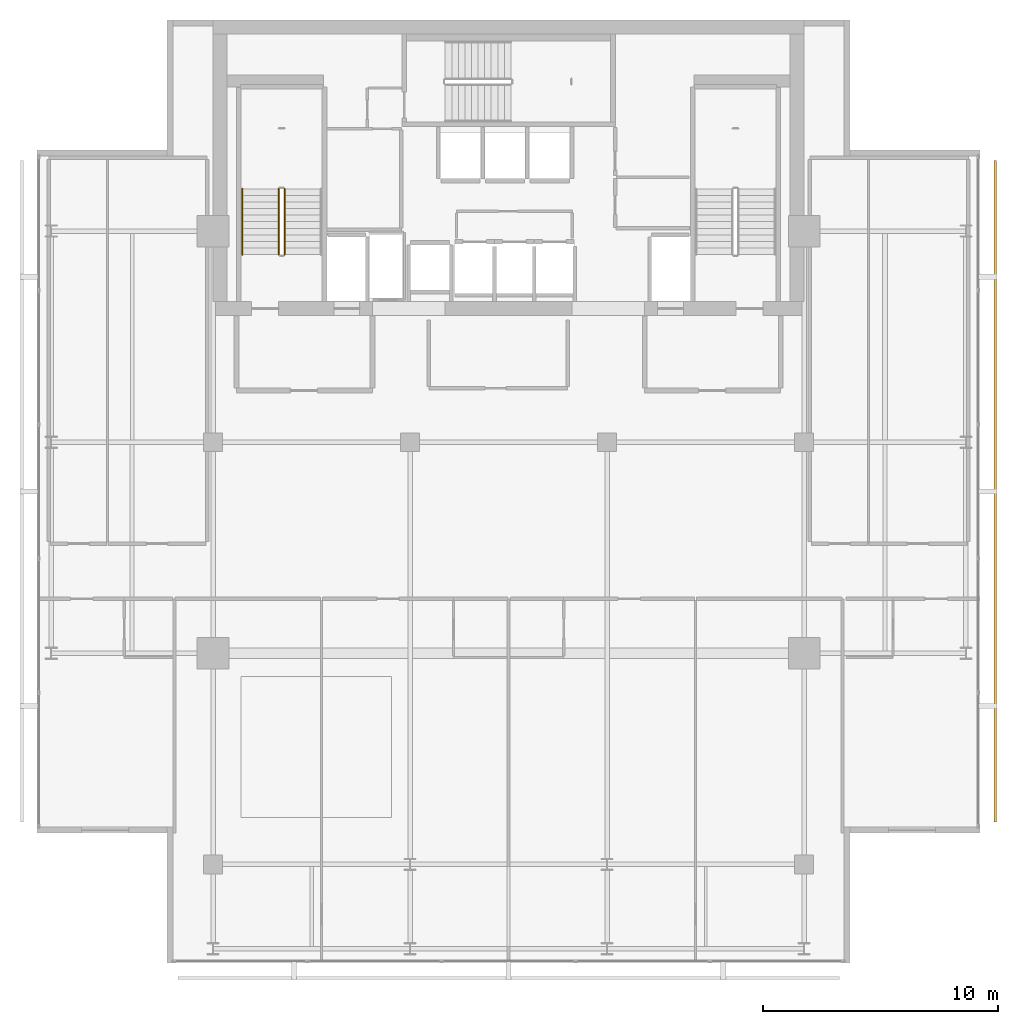
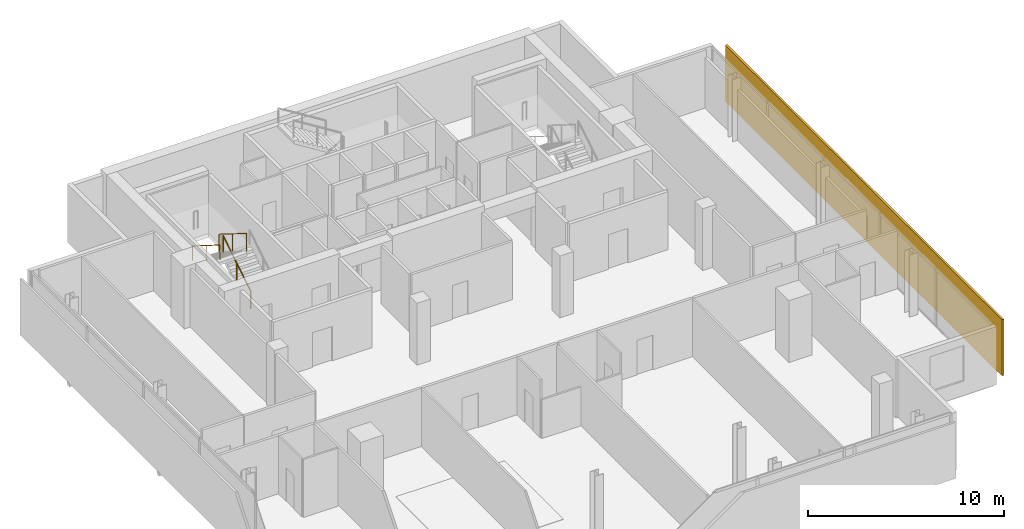
# One storey, part 22 of 23: 3 railings, 1 shading device.
"""IFC4 building model written with IfcOpenShell, lengths in metres."""

from ifc_helpers import new_model, si_unit, direction, frame, origin, origin_2d, place, context, subcontext, project, spatial, rectangle, circle, extrude, material, layer, layer_set, type_object, element, save


model = new_model("IFC4")

# Units and contexts
model_context = context("Model", 3, precision=1e-05, world=origin(), true_north=direction((0.0, 1.0)))
body_context = subcontext(model_context, "Body", "Model", "MODEL_VIEW")
ifc_project = project(units=[si_unit("LENGTHUNIT", "METRE"), si_unit("AREAUNIT", "SQUARE_METRE"), si_unit("VOLUMEUNIT", "CUBIC_METRE"), si_unit("PLANEANGLEUNIT", "RADIAN"), si_unit("MASSUNIT", "GRAM", prefix="KILO")], contexts=[model_context])

# Site, building, storey
site_placement = place(None, origin())
site = spatial("IfcSite", under=ifc_project, at=site_placement, CompositionType="ELEMENT")
building_placement = place(site_placement, origin())
building = spatial("IfcBuilding", under=site, at=building_placement, Name="Maruvema Waterfront Hotel and Observation Tower", CompositionType="ELEMENT")
storey_placement = place(building_placement, frame((0.0, 0.0, 341.25)))
storey = spatial("IfcBuildingStorey", under=building, at=storey_placement, Name="L84", CompositionType="ELEMENT", Elevation=341.25)

# Railings
ifc_material_1 = material(Name="Brushed stainless steel Grade 316", Category="steel")
railing_type_1 = type_object("IfcRailingType", Name="Ramp Continuous Wall Handrail 920 mm", PredefinedType="HANDRAIL", material=ifc_material_1)
railing_1_placement = place(storey_placement, frame((26.449951171875, 46.800048828125, 2.10009765625)))
element("IfcRailing", 1, at=railing_1_placement, inside=storey, type_object=railing_type_1, Name="L84 ST-01 stair handrail 2", PredefinedType="HANDRAIL", context=body_context, shape_type="SweptSolid", body=[
    extrude(circle(Radius=0.02392578125, at=origin_2d()), frame((0.0, 0.0, 0.89599609375), z_axis=(0.0, -0.848002457836, 0.529992293815), x_axis=(1.0, 0.0, 0.0)), (0.0, 0.0, 1.0), 3.302001953125),
    extrude(circle(Radius=0.02099609375, at=origin_2d()), origin(), (0.0, 0.0, 1.0), 0.871826171875),
    extrude(circle(Radius=0.02099609375, at=origin_2d()), frame((0.0, -1.39990234375, 0.875)), (0.0, 0.0, 1.0), 0.871826171875),
    extrude(circle(Radius=0.02099609375, at=origin_2d()), frame((0.0, -2.800048828125, 1.75)), (0.0, 0.0, 1.0), 0.871826171875),
])
ifc_material_2 = material(Name="Brushed stainless steel Grade 316", Category="steel")
railing_type_2 = type_object("IfcRailingType", Name="Ramp and Terrace Guard Balustrade 1100 mm", PredefinedType="BALUSTRADE", material=ifc_material_2)
railing_2_placement = place(storey_placement, frame((28.25, 44.0, 0.175048828125)))
element("IfcRailing", 2, at=railing_2_placement, inside=storey, type_object=railing_type_2, Name="L84 ST-01 stair guard 1", PredefinedType="BALUSTRADE", context=body_context, shape_type="SweptSolid", body=[
    extrude(circle(Radius=0.02392578125, at=origin_2d()), frame((0.0, 0.0, 1.076171875), z_axis=(0.0, 0.848002457836, 0.529992293815), x_axis=(-1.0, 0.0, 0.0)), (0.0, 0.0, 1.0), 3.302001953125),
    extrude(circle(Radius=0.02099609375, at=origin_2d()), origin(), (0.0, 0.0, 1.0), 1.052001953125),
    extrude(circle(Radius=0.02099609375, at=origin_2d()), frame((0.0, 1.39990234375, 0.875)), (0.0, 0.0, 1.0), 1.052001953125),
    extrude(circle(Radius=0.02099609375, at=origin_2d()), frame((0.0, 2.800048828125, 1.75)), (0.0, 0.0, 1.0), 1.052001953125),
])
railing_3_placement = place(storey_placement, frame((28.0, 46.800048828125, 2.10009765625)))
element("IfcRailing", 3, at=railing_3_placement, inside=storey, type_object=railing_type_2, Name="L84 ST-01 stair guard 3", PredefinedType="BALUSTRADE", context=body_context, shape_type="SweptSolid", body=[
    extrude(circle(Radius=0.02392578125, at=origin_2d()), frame((0.0, 0.0, 1.076171875), z_axis=(0.0, -0.848002457836, 0.529992293815), x_axis=(1.0, 0.0, 0.0)), (0.0, 0.0, 1.0), 3.302001953125),
    extrude(circle(Radius=0.02099609375, at=origin_2d()), origin(), (0.0, 0.0, 1.0), 1.052001953125),
    extrude(circle(Radius=0.02099609375, at=origin_2d()), frame((0.0, -1.39990234375, 0.875)), (0.0, 0.0, 1.0), 1.052001953125),
    extrude(circle(Radius=0.02099609375, at=origin_2d()), frame((0.0, -2.800048828125, 1.75)), (0.0, 0.0, 1.0), 1.052001953125),
])

# Shading device
ifc_material_3 = material(Name="Honed travertine stone and anodised architectural bronze", Category="masonry")
ifc_layer = layer(ifc_material_3, 0.1201171875, Name="Ventilated Outer Skin Cobogo Stone-and-Bronze Screen 120 mm")
ifc_layer_set = layer_set([ifc_layer], Name="Honed travertine stone and anodised architectural bronze")
shading_device_type = type_object("IfcShadingDeviceType", Name="Ventilated Outer Skin Cobogo Stone-and-Bronze Screen 120 mm", PredefinedType="USERDEFINED", material=ifc_layer_set)
shading_device_placement = place(storey_placement, frame((58.550048828125, 33.89990234375, 0.06005859375), z_axis=(0.0, 0.0, 1.0), x_axis=(0.0, 1.0, 0.0)))
element("IfcShadingDevice", 4, at=shading_device_placement, inside=storey, type_object=shading_device_type, Name="L84 Ventilated Double-Skin Outer Cobogo Screen OS-L84-E", ObjectType="OUTER SKIN SCREEN", PredefinedType="USERDEFINED", context=body_context, shape_type="SweptSolid", body=[
    extrude(rectangle(XDim=28.199951171875, YDim=0.1201171875, at=origin_2d()), origin(), (0.0, 0.0, 1.0), 3.489990234375),
])

save(model, "model.ifc")
